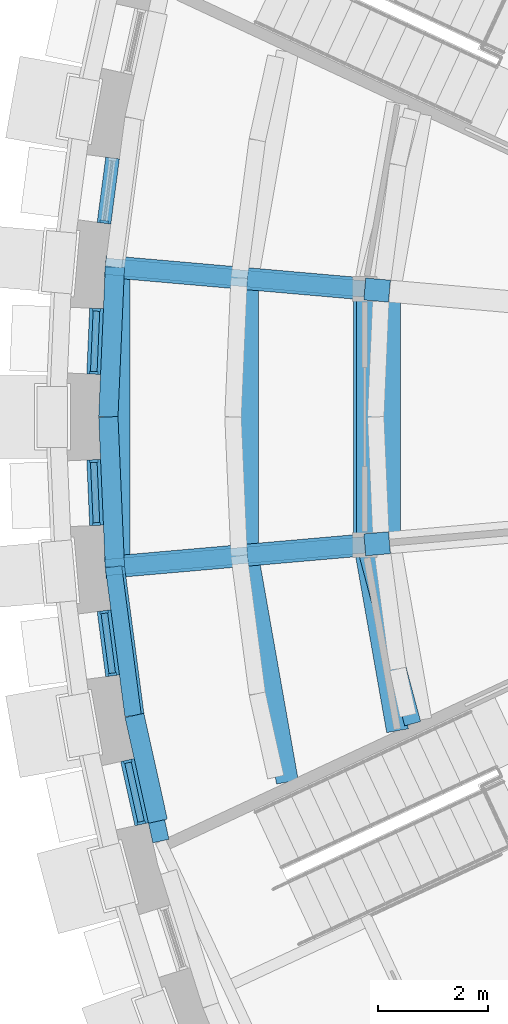
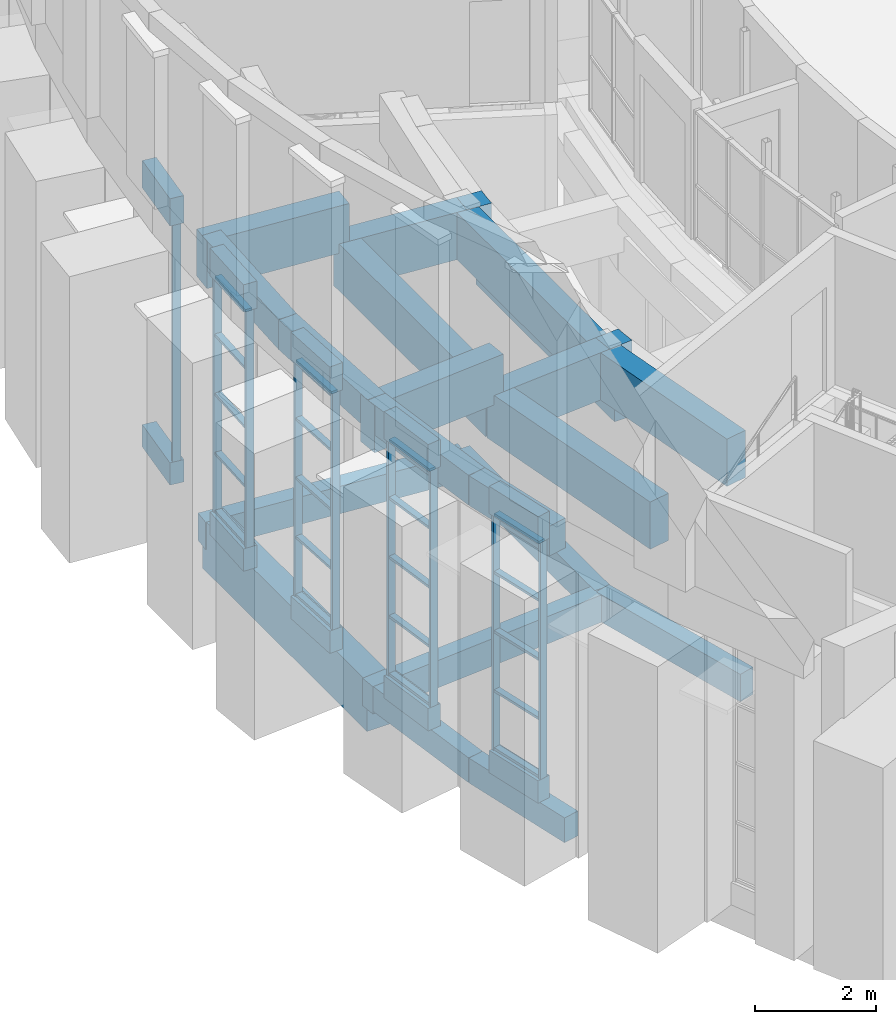
# One storey, part 9 of 66: 32 beams, 29 members, 5 elements without a shape of their own.
"""IFC4 building model written with IfcOpenShell, lengths in metres."""

from ifc_helpers import new_model, si_unit, direction, frame, origin, origin_2d, place, context, subcontext, project, spatial, rectangle, extrude, material, layer, layer_set, material_profile, profile_set, type_object, element, aggregate, save


model = new_model("IFC4")

# Units and contexts
model_context = context("Model", 3, precision=1e-05, world=origin(), true_north=direction((0.0, 1.0)))
body_context = subcontext(model_context, "Body", "Model", "MODEL_VIEW")
ifc_project = project(units=[si_unit("LENGTHUNIT", "METRE"), si_unit("AREAUNIT", "SQUARE_METRE"), si_unit("VOLUMEUNIT", "CUBIC_METRE"), si_unit("PLANEANGLEUNIT", "RADIAN"), si_unit("MASSUNIT", "GRAM", prefix="KILO")], contexts=[model_context])

# Site, building, storey
site_placement = place(None, origin())
site = spatial("IfcSite", under=ifc_project, at=site_placement, CompositionType="ELEMENT")
building_placement = place(site_placement, origin())
building = spatial("IfcBuilding", under=site, at=building_placement, Name="Volute Hill Aquarium", CompositionType="ELEMENT")
storey_placement = place(building_placement, frame((0.0, 0.0, 4.60009765625)))
storey = spatial("IfcBuildingStorey", under=building, at=storey_placement, Name="L02", CompositionType="ELEMENT", Elevation=4.60009765625)

# Beams
ifc_material_1 = material(Name="Concrete C35/45", Category="concrete")
ifc_material_profile_1 = material_profile(ifc_material_1, rectangle(XDim=0.300048828125, YDim=0.550048828125, at=origin_2d()), Name="RC beam 300x550")
ifc_profile_set_1 = profile_set([ifc_material_profile_1], Name="Concrete C35/45")
beam_type_1 = type_object("IfcBeamType", Name="Beam 300x550 C35/45", PredefinedType="BEAM", material=ifc_profile_set_1)
for number, where, z_axis, x_axis, name in (
    (1, (-26.523681640625, 2.320556640625, -0.4951171875), (-0.996193717496, 0.087166950281, 0.0), (-0.087166950281, -0.996193717496, 0.0), "bm/S1/L02/rad2.3"),
    (2, (-26.523681640625, -2.320556640625, -0.4951171875), (-0.996193717496, -0.087166950281, 0.0), (0.087166950281, -0.996193717496, 0.0), "bm/S1/L02/rad3.5"),
):
    element("IfcBeam", number, at=place(storey_placement, frame(where, z_axis=z_axis, x_axis=x_axis)), inside=storey, type_object=beam_type_1, Name=name, PredefinedType="BEAM", context=body_context, shape_type="SweptSolid", body=[
        extrude(rectangle(XDim=0.300048828125, YDim=0.550048828125, at=origin_2d()), origin(), (0.0, 0.0, 1.0), 4.72509765625),
    ])
beam_1_placement = place(storey_placement, frame((-26.523681640625, 2.320556640625, -0.4951171875), z_axis=(0.0, -1.0, 0.0), x_axis=(1.0, 0.0, 0.0)))
element("IfcBeam", 3, at=beam_1_placement, inside=storey, type_object=beam_type_1, Name="bm/S1/L02/ring1.8", PredefinedType="BEAM", context=body_context, shape_type="SweptSolid", body=[
    extrude(rectangle(XDim=0.300048828125, YDim=0.550048828125, at=origin_2d()), origin(), (0.0, 0.0, 1.0), 4.64111328125),
])
beam_2_placement = place(storey_placement, frame((-26.523681640625, -2.320556640625, -0.4951171875), z_axis=(0.258807570436, -0.965928900844, 0.0), x_axis=(0.965928900844, 0.258807570436, 0.0)))
element("IfcBeam", 4, at=beam_2_placement, inside=storey, type_object=beam_type_1, Name="bm/S1/L02/ring1.9", PredefinedType="BEAM", context=body_context, shape_type="SweptSolid", body=[
    extrude(rectangle(XDim=0.300048828125, YDim=0.550048828125, at=origin_2d()), origin(), (0.0, 0.0, 1.0), 3.357421875),
])

# Curtain wall, member
ifc_material_2 = material(Name="Aluminium", Category="aluminium")
ifc_layer = layer(ifc_material_2, 0.25)
ifc_layer_set = layer_set([ifc_layer], Name="Curtain wall niche S1 module 1193")
curtain_wall_type = type_object("IfcCurtainWallType", Name="Curtain wall niche S1 module 1193", PredefinedType="NOTDEFINED", material=ifc_layer_set)
curtain_wall_1_placement = place(storey_placement, origin())
curtain_wall_1 = element("IfcCurtainWall", 5, at=curtain_wall_1_placement, inside=storey, type_object=curtain_wall_type, Name="Curtain wall CW S1 L02 4", PredefinedType="NOTDEFINED")
ifc_material_3 = material(Name="Aluminium", Category="aluminium")
ifc_material_profile_2 = material_profile(ifc_material_3, rectangle(XDim=0.14990234375, YDim=0.050048828125, at=origin_2d()), Name="Curtain wall mullion S1 50x150")
ifc_profile_set_2 = profile_set([ifc_material_profile_2], Name="Aluminium")
member_type_1 = type_object("IfcMemberType", Name="Curtain wall mullion S1 50x150", PredefinedType="MULLION", material=ifc_profile_set_2)
member_1_placement = place(storey_placement, frame((-31.250244140625, 3.53759765625, 0.449951171875), z_axis=(0.0, 0.0, 1.0), x_axis=(0.991444135436, -0.130531706148, 0.0)))
member_1 = element("IfcMember", 6, at=member_1_placement, type_object=member_type_1, Name="CW mullion 2", PredefinedType="MULLION", context=body_context, shape_type="SweptSolid", body=[
    extrude(rectangle(XDim=0.14990234375, YDim=0.050048828125, at=origin_2d()), origin(), (0.0, 0.0, 1.0), 4.760009765625),
])
aggregate(curtain_wall_1, [member_1])

# Curtain wall, members
curtain_wall_2_placement = place(storey_placement, origin())
curtain_wall_2 = element("IfcCurtainWall", 7, at=curtain_wall_2_placement, inside=storey, type_object=curtain_wall_type, Name="Curtain wall CW S1 L02 5", PredefinedType="NOTDEFINED")
member_2_placement = place(storey_placement, frame((-31.389892578125, 1.942626953125, 0.449951171875), z_axis=(0.0, 0.0, 1.0), x_axis=(0.999048456142, -0.043614014722, 0.0)))
member_2 = element("IfcMember", 8, at=member_2_placement, type_object=member_type_1, Name="CW mullion 1", PredefinedType="MULLION", context=body_context, shape_type="SweptSolid", body=[
    extrude(rectangle(XDim=0.14990234375, YDim=0.050048828125, at=origin_2d()), origin(), (0.0, 0.0, 1.0), 4.760009765625),
])
member_3_placement = place(storey_placement, frame((-31.439697265625, 0.800537109375, 0.449951171875), z_axis=(0.0, 0.0, 1.0), x_axis=(0.999048456142, -0.043614014722, 0.0)))
member_3 = element("IfcMember", 9, at=member_3_placement, type_object=member_type_1, Name="CW mullion 2", PredefinedType="MULLION", context=body_context, shape_type="SweptSolid", body=[
    extrude(rectangle(XDim=0.14990234375, YDim=0.050048828125, at=origin_2d()), origin(), (0.0, 0.0, 1.0), 4.760009765625),
])

curtain_wall_3_placement = place(storey_placement, origin())
curtain_wall_3 = element("IfcCurtainWall", 10, at=curtain_wall_3_placement, inside=storey, type_object=curtain_wall_type, Name="Curtain wall CW S1 L02 6", PredefinedType="NOTDEFINED")
member_4_placement = place(storey_placement, frame((-31.439697265625, -0.80078125, 0.449951171875), z_axis=(0.0, 0.0, 1.0), x_axis=(0.999048456142, 0.043614014722, 0.0)))
member_4 = element("IfcMember", 11, at=member_4_placement, type_object=member_type_1, Name="CW mullion 1", PredefinedType="MULLION", context=body_context, shape_type="SweptSolid", body=[
    extrude(rectangle(XDim=0.14990234375, YDim=0.050048828125, at=origin_2d()), origin(), (0.0, 0.0, 1.0), 4.760009765625),
])
member_5_placement = place(storey_placement, frame((-31.389892578125, -1.942626953125, 0.449951171875), z_axis=(0.0, 0.0, 1.0), x_axis=(0.999048456142, 0.043614014722, 0.0)))
member_5 = element("IfcMember", 12, at=member_5_placement, type_object=member_type_1, Name="CW mullion 2", PredefinedType="MULLION", context=body_context, shape_type="SweptSolid", body=[
    extrude(rectangle(XDim=0.14990234375, YDim=0.050048828125, at=origin_2d()), origin(), (0.0, 0.0, 1.0), 4.760009765625),
])

curtain_wall_4_placement = place(storey_placement, origin())
curtain_wall_4 = element("IfcCurtainWall", 13, at=curtain_wall_4_placement, inside=storey, type_object=curtain_wall_type, Name="Curtain wall CW S1 L02 7", PredefinedType="NOTDEFINED")
member_6_placement = place(storey_placement, frame((-31.250244140625, -3.537841796875, 0.449951171875), z_axis=(0.0, 0.0, 1.0), x_axis=(0.991445220218, 0.130523466497, 0.0)))
member_6 = element("IfcMember", 14, at=member_6_placement, type_object=member_type_1, Name="CW mullion 1", PredefinedType="MULLION", context=body_context, shape_type="SweptSolid", body=[
    extrude(rectangle(XDim=0.14990234375, YDim=0.050048828125, at=origin_2d()), origin(), (0.0, 0.0, 1.0), 4.760009765625),
])
member_7_placement = place(storey_placement, frame((-31.10107421875, -4.671142578125, 0.449951171875), z_axis=(0.0, 0.0, 1.0), x_axis=(0.991445220218, 0.130523466497, 0.0)))
member_7 = element("IfcMember", 15, at=member_7_placement, type_object=member_type_1, Name="CW mullion 2", PredefinedType="MULLION", context=body_context, shape_type="SweptSolid", body=[
    extrude(rectangle(XDim=0.14990234375, YDim=0.050048828125, at=origin_2d()), origin(), (0.0, 0.0, 1.0), 4.760009765625),
])

curtain_wall_5_placement = place(storey_placement, origin())
curtain_wall_5 = element("IfcCurtainWall", 16, at=curtain_wall_5_placement, inside=storey, type_object=curtain_wall_type, Name="Curtain wall CW S1 L02 8", PredefinedType="NOTDEFINED")
member_8_placement = place(storey_placement, frame((-30.822998046875, -6.248046875, 0.449951171875), z_axis=(0.0, 0.0, 1.0), x_axis=(0.976292270498, 0.216456468061, 0.0)))
member_8 = element("IfcMember", 17, at=member_8_placement, type_object=member_type_1, Name="CW mullion 1", PredefinedType="MULLION", context=body_context, shape_type="SweptSolid", body=[
    extrude(rectangle(XDim=0.14990234375, YDim=0.050048828125, at=origin_2d()), origin(), (0.0, 0.0, 1.0), 4.760009765625),
])
member_9_placement = place(storey_placement, frame((-30.57568359375, -7.36376953125, 0.449951171875), z_axis=(0.0, 0.0, 1.0), x_axis=(0.976292270498, 0.216456468061, 0.0)))
member_9 = element("IfcMember", 18, at=member_9_placement, type_object=member_type_1, Name="CW mullion 2", PredefinedType="MULLION", context=body_context, shape_type="SweptSolid", body=[
    extrude(rectangle(XDim=0.14990234375, YDim=0.050048828125, at=origin_2d()), origin(), (0.0, 0.0, 1.0), 4.760009765625),
])

# Member
ifc_material_4 = material(Name="Aluminium", Category="aluminium")
ifc_material_profile_3 = material_profile(ifc_material_4, rectangle(XDim=0.1201171875, YDim=0.050048828125, at=origin_2d()), Name="Curtain wall transom S1 50x120")
ifc_profile_set_3 = profile_set([ifc_material_profile_3], Name="Aluminium")
member_type_2 = type_object("IfcMemberType", Name="Curtain wall transom S1 50x120", PredefinedType="USERDEFINED", material=ifc_profile_set_3)
member_10_placement = place(storey_placement, frame((-31.390869140625, 1.91748046875, 0.474853515625), z_axis=(-0.043786230083, -0.999040923113, 0.0), x_axis=(0.999040923113, -0.043786230083, 0.0)))
member_10 = element("IfcMember", 19, at=member_10_placement, type_object=member_type_2, Name="CW transom 1.1", ObjectType="TRANSOM", PredefinedType="USERDEFINED", context=body_context, shape_type="SweptSolid", body=[
    extrude(rectangle(XDim=0.1201171875, YDim=0.050048828125, at=origin_2d()), origin(), (0.0, 0.0, 1.0), 1.0927734375),
])

member_11_placement = place(storey_placement, frame((-31.390869140625, 1.91748046875, 1.639892578125), z_axis=(-0.043786230083, -0.999040923113, 0.0), x_axis=(0.999040923113, -0.043786230083, 0.0)))
member_11 = element("IfcMember", 20, at=member_11_placement, type_object=member_type_2, Name="CW transom 1.2", ObjectType="TRANSOM", PredefinedType="USERDEFINED", context=body_context, shape_type="SweptSolid", body=[
    extrude(rectangle(XDim=0.1201171875, YDim=0.050048828125, at=origin_2d()), origin(), (0.0, 0.0, 1.0), 1.0927734375),
])

member_12_placement = place(storey_placement, frame((-31.390869140625, 1.91748046875, 2.829833984375), z_axis=(-0.043786230083, -0.999040923113, 0.0), x_axis=(0.999040923113, -0.043786230083, 0.0)))
member_12 = element("IfcMember", 21, at=member_12_placement, type_object=member_type_2, Name="CW transom 1.3", ObjectType="TRANSOM", PredefinedType="USERDEFINED", context=body_context, shape_type="SweptSolid", body=[
    extrude(rectangle(XDim=0.1201171875, YDim=0.050048828125, at=origin_2d()), origin(), (0.0, 0.0, 1.0), 1.0927734375),
])

member_13_placement = place(storey_placement, frame((-31.390869140625, 1.91748046875, 4.02001953125), z_axis=(-0.043786230083, -0.999040923113, 0.0), x_axis=(0.999040923113, -0.043786230083, 0.0)))
member_13 = element("IfcMember", 22, at=member_13_placement, type_object=member_type_2, Name="CW transom 1.4", ObjectType="TRANSOM", PredefinedType="USERDEFINED", context=body_context, shape_type="SweptSolid", body=[
    extrude(rectangle(XDim=0.1201171875, YDim=0.050048828125, at=origin_2d()), origin(), (0.0, 0.0, 1.0), 1.0927734375),
])

member_14_placement = place(storey_placement, frame((-31.390869140625, 1.91748046875, 5.184814453125), z_axis=(-0.043786230083, -0.999040923113, 0.0), x_axis=(0.999040923113, -0.043786230083, 0.0)))
member_14 = element("IfcMember", 23, at=member_14_placement, type_object=member_type_2, Name="CW transom 1.5", ObjectType="TRANSOM", PredefinedType="USERDEFINED", context=body_context, shape_type="SweptSolid", body=[
    extrude(rectangle(XDim=0.1201171875, YDim=0.050048828125, at=origin_2d()), origin(), (0.0, 0.0, 1.0), 1.0927734375),
])

aggregate(curtain_wall_2, [member_2, member_3, member_10, member_11, member_12, member_13, member_14])

member_15_placement = place(storey_placement, frame((-31.438720703125, -0.82568359375, 0.474853515625), z_axis=(0.043776459837, -0.999041351278, 0.0), x_axis=(0.999041351278, 0.043776459837, 0.0)))
member_15 = element("IfcMember", 24, at=member_15_placement, type_object=member_type_2, Name="CW transom 1.1", ObjectType="TRANSOM", PredefinedType="USERDEFINED", context=body_context, shape_type="SweptSolid", body=[
    extrude(rectangle(XDim=0.1201171875, YDim=0.050048828125, at=origin_2d()), origin(), (0.0, 0.0, 1.0), 1.093017578125),
])

member_16_placement = place(storey_placement, frame((-31.438720703125, -0.82568359375, 1.639892578125), z_axis=(0.043776459837, -0.999041351278, 0.0), x_axis=(0.999041351278, 0.043776459837, 0.0)))
member_16 = element("IfcMember", 25, at=member_16_placement, type_object=member_type_2, Name="CW transom 1.2", ObjectType="TRANSOM", PredefinedType="USERDEFINED", context=body_context, shape_type="SweptSolid", body=[
    extrude(rectangle(XDim=0.1201171875, YDim=0.050048828125, at=origin_2d()), origin(), (0.0, 0.0, 1.0), 1.093017578125),
])

member_17_placement = place(storey_placement, frame((-31.438720703125, -0.82568359375, 2.829833984375), z_axis=(0.043776459837, -0.999041351278, 0.0), x_axis=(0.999041351278, 0.043776459837, 0.0)))
member_17 = element("IfcMember", 26, at=member_17_placement, type_object=member_type_2, Name="CW transom 1.3", ObjectType="TRANSOM", PredefinedType="USERDEFINED", context=body_context, shape_type="SweptSolid", body=[
    extrude(rectangle(XDim=0.1201171875, YDim=0.050048828125, at=origin_2d()), origin(), (0.0, 0.0, 1.0), 1.093017578125),
])

member_18_placement = place(storey_placement, frame((-31.438720703125, -0.82568359375, 4.02001953125), z_axis=(0.043776459837, -0.999041351278, 0.0), x_axis=(0.999041351278, 0.043776459837, 0.0)))
member_18 = element("IfcMember", 27, at=member_18_placement, type_object=member_type_2, Name="CW transom 1.4", ObjectType="TRANSOM", PredefinedType="USERDEFINED", context=body_context, shape_type="SweptSolid", body=[
    extrude(rectangle(XDim=0.1201171875, YDim=0.050048828125, at=origin_2d()), origin(), (0.0, 0.0, 1.0), 1.093017578125),
])

member_19_placement = place(storey_placement, frame((-31.438720703125, -0.82568359375, 5.184814453125), z_axis=(0.043776459837, -0.999041351278, 0.0), x_axis=(0.999041351278, 0.043776459837, 0.0)))
member_19 = element("IfcMember", 28, at=member_19_placement, type_object=member_type_2, Name="CW transom 1.5", ObjectType="TRANSOM", PredefinedType="USERDEFINED", context=body_context, shape_type="SweptSolid", body=[
    extrude(rectangle(XDim=0.1201171875, YDim=0.050048828125, at=origin_2d()), origin(), (0.0, 0.0, 1.0), 1.093017578125),
])

aggregate(curtain_wall_3, [member_4, member_5, member_15, member_16, member_17, member_18, member_19])

member_20_placement = place(storey_placement, frame((-31.2470703125, -3.562744140625, 0.474853515625), z_axis=(0.130466070399, -0.991452774707, 0.0), x_axis=(0.991452774707, 0.130466070399, 0.0)))
member_20 = element("IfcMember", 29, at=member_20_placement, type_object=member_type_2, Name="CW transom 1.1", ObjectType="TRANSOM", PredefinedType="USERDEFINED", context=body_context, shape_type="SweptSolid", body=[
    extrude(rectangle(XDim=0.1201171875, YDim=0.050048828125, at=origin_2d()), origin(), (0.0, 0.0, 1.0), 1.0927734375),
])

member_21_placement = place(storey_placement, frame((-31.2470703125, -3.562744140625, 1.639892578125), z_axis=(0.130466070399, -0.991452774707, 0.0), x_axis=(0.991452774707, 0.130466070399, 0.0)))
member_21 = element("IfcMember", 30, at=member_21_placement, type_object=member_type_2, Name="CW transom 1.2", ObjectType="TRANSOM", PredefinedType="USERDEFINED", context=body_context, shape_type="SweptSolid", body=[
    extrude(rectangle(XDim=0.1201171875, YDim=0.050048828125, at=origin_2d()), origin(), (0.0, 0.0, 1.0), 1.0927734375),
])

member_22_placement = place(storey_placement, frame((-31.2470703125, -3.562744140625, 2.829833984375), z_axis=(0.130466070399, -0.991452774707, 0.0), x_axis=(0.991452774707, 0.130466070399, 0.0)))
member_22 = element("IfcMember", 31, at=member_22_placement, type_object=member_type_2, Name="CW transom 1.3", ObjectType="TRANSOM", PredefinedType="USERDEFINED", context=body_context, shape_type="SweptSolid", body=[
    extrude(rectangle(XDim=0.1201171875, YDim=0.050048828125, at=origin_2d()), origin(), (0.0, 0.0, 1.0), 1.0927734375),
])

member_23_placement = place(storey_placement, frame((-31.2470703125, -3.562744140625, 4.02001953125), z_axis=(0.130466070399, -0.991452774707, 0.0), x_axis=(0.991452774707, 0.130466070399, 0.0)))
member_23 = element("IfcMember", 32, at=member_23_placement, type_object=member_type_2, Name="CW transom 1.4", ObjectType="TRANSOM", PredefinedType="USERDEFINED", context=body_context, shape_type="SweptSolid", body=[
    extrude(rectangle(XDim=0.1201171875, YDim=0.050048828125, at=origin_2d()), origin(), (0.0, 0.0, 1.0), 1.0927734375),
])

member_24_placement = place(storey_placement, frame((-31.2470703125, -3.562744140625, 5.184814453125), z_axis=(0.130466070399, -0.991452774707, 0.0), x_axis=(0.991452774707, 0.130466070399, 0.0)))
member_24 = element("IfcMember", 33, at=member_24_placement, type_object=member_type_2, Name="CW transom 1.5", ObjectType="TRANSOM", PredefinedType="USERDEFINED", context=body_context, shape_type="SweptSolid", body=[
    extrude(rectangle(XDim=0.1201171875, YDim=0.050048828125, at=origin_2d()), origin(), (0.0, 0.0, 1.0), 1.0927734375),
])

aggregate(curtain_wall_4, [member_6, member_7, member_20, member_21, member_22, member_23, member_24])

member_25_placement = place(storey_placement, frame((-30.817626953125, -6.2724609375, 0.474853515625), z_axis=(0.216480993318, -0.976286832612, 0.0), x_axis=(0.976286832612, 0.216480993318, 0.0)))
member_25 = element("IfcMember", 34, at=member_25_placement, type_object=member_type_2, Name="CW transom 1.1", ObjectType="TRANSOM", PredefinedType="USERDEFINED", context=body_context, shape_type="SweptSolid", body=[
    extrude(rectangle(XDim=0.1201171875, YDim=0.050048828125, at=origin_2d()), origin(), (0.0, 0.0, 1.0), 1.0927734375),
])

member_26_placement = place(storey_placement, frame((-30.817626953125, -6.2724609375, 1.639892578125), z_axis=(0.216480993318, -0.976286832612, 0.0), x_axis=(0.976286832612, 0.216480993318, 0.0)))
member_26 = element("IfcMember", 35, at=member_26_placement, type_object=member_type_2, Name="CW transom 1.2", ObjectType="TRANSOM", PredefinedType="USERDEFINED", context=body_context, shape_type="SweptSolid", body=[
    extrude(rectangle(XDim=0.1201171875, YDim=0.050048828125, at=origin_2d()), origin(), (0.0, 0.0, 1.0), 1.0927734375),
])

member_27_placement = place(storey_placement, frame((-30.817626953125, -6.2724609375, 2.829833984375), z_axis=(0.216480993318, -0.976286832612, 0.0), x_axis=(0.976286832612, 0.216480993318, 0.0)))
member_27 = element("IfcMember", 36, at=member_27_placement, type_object=member_type_2, Name="CW transom 1.3", ObjectType="TRANSOM", PredefinedType="USERDEFINED", context=body_context, shape_type="SweptSolid", body=[
    extrude(rectangle(XDim=0.1201171875, YDim=0.050048828125, at=origin_2d()), origin(), (0.0, 0.0, 1.0), 1.0927734375),
])

member_28_placement = place(storey_placement, frame((-30.817626953125, -6.2724609375, 4.02001953125), z_axis=(0.216480993318, -0.976286832612, 0.0), x_axis=(0.976286832612, 0.216480993318, 0.0)))
member_28 = element("IfcMember", 37, at=member_28_placement, type_object=member_type_2, Name="CW transom 1.4", ObjectType="TRANSOM", PredefinedType="USERDEFINED", context=body_context, shape_type="SweptSolid", body=[
    extrude(rectangle(XDim=0.1201171875, YDim=0.050048828125, at=origin_2d()), origin(), (0.0, 0.0, 1.0), 1.0927734375),
])

member_29_placement = place(storey_placement, frame((-30.817626953125, -6.2724609375, 5.184814453125), z_axis=(0.216480993318, -0.976286832612, 0.0), x_axis=(0.976286832612, 0.216480993318, 0.0)))
member_29 = element("IfcMember", 38, at=member_29_placement, type_object=member_type_2, Name="CW transom 1.5", ObjectType="TRANSOM", PredefinedType="USERDEFINED", context=body_context, shape_type="SweptSolid", body=[
    extrude(rectangle(XDim=0.1201171875, YDim=0.050048828125, at=origin_2d()), origin(), (0.0, 0.0, 1.0), 1.0927734375),
])

aggregate(curtain_wall_5, [member_8, member_9, member_25, member_26, member_27, member_28, member_29])

# Beams
ifc_material_5 = material(Name="Concrete C35/45", Category="concrete")
ifc_material_profile_4 = material_profile(ifc_material_5, rectangle(XDim=0.300048828125, YDim=0.5, at=origin_2d()), Name="RC edge beam 300x500")
ifc_profile_set_4 = profile_set([ifc_material_profile_4], Name="Concrete C35/45")
beam_type_2 = type_object("IfcBeamType", Name="Edge beam 300x500 C35/45", PredefinedType="BEAM", material=ifc_profile_set_4)
beam_3_placement = place(storey_placement, frame((-31.0810546875, -2.71923828125, -0.47021484375), z_axis=(0.130512520762, -0.991446661159, 0.0), x_axis=(0.991446661159, 0.130512520762, 0.0)))
element("IfcBeam", 39, at=beam_3_placement, inside=storey, type_object=beam_type_2, Name="bm/S1/L02/edgeO.24", PredefinedType="BEAM", context=body_context, shape_type="SweptSolid", body=[
    extrude(rectangle(XDim=0.300048828125, YDim=0.5, at=origin_2d()), origin(), (0.0, 0.0, 1.0), 2.7216796875),
])
beam_4_placement = place(storey_placement, frame((-30.725830078125, -5.417724609375, -0.47021484375), z_axis=(0.216442353874, -0.976295399687, 0.0), x_axis=(0.976295399687, 0.216442353874, 0.0)))
element("IfcBeam", 40, at=beam_4_placement, inside=storey, type_object=beam_type_2, Name="bm/S1/L02/edgeO.25", PredefinedType="BEAM", context=body_context, shape_type="SweptSolid", body=[
    extrude(rectangle(XDim=0.300048828125, YDim=0.5, at=origin_2d()), origin(), (0.0, 0.0, 1.0), 2.330322265625),
])
ifc_material_6 = material(Name="Concrete C35/45", Category="concrete")
ifc_material_profile_5 = material_profile(ifc_material_6, rectangle(XDim=0.35009765625, YDim=0.60009765625, at=origin_2d()), Name="RC edge beam 350x600")
ifc_profile_set_5 = profile_set([ifc_material_profile_5], Name="Concrete C35/45")
beam_type_3 = type_object("IfcBeamType", Name="Edge beam 350x600 C35/45", PredefinedType="BEAM", material=ifc_profile_set_5)
for number, where, z_axis, x_axis, name in (
    (41, (-31.05615234375, 2.717041015625, 5.159912109375), (-0.043628111291, -0.999047840649, 0.0), (0.999047840649, -0.043628111291, 0.0), "rb/S1/L02/edgeO.60"),
    (42, (-31.1748046875, 0.0, 5.159912109375), (0.043628111291, -0.999047840649, 0.0), (0.999047840649, 0.043628111291, 0.0), "rb/S1/L02/edgeO.61"),
    (43, (-31.05615234375, -2.717041015625, 5.159912109375), (0.130517206736, -0.991446044294, 0.0), (0.991446044294, 0.130517206736, 0.0), "rb/S1/L02/edgeO.62"),
):
    element("IfcBeam", number, at=place(storey_placement, frame(where, z_axis=z_axis, x_axis=x_axis)), inside=storey, type_object=beam_type_3, Name=name, PredefinedType="BEAM", context=body_context, shape_type="SweptSolid", body=[
        extrude(rectangle(XDim=0.35009765625, YDim=0.60009765625, at=origin_2d()), origin(), (0.0, 0.0, 1.0), 2.7197265625),
    ])
beam_5_placement = place(storey_placement, frame((-30.701171875, -5.41357421875, 5.159912109375), z_axis=(0.21643053579, -0.976298019653, 0.0), x_axis=(0.976298019653, 0.21643053579, 0.0)))
element("IfcBeam", 44, at=beam_5_placement, inside=storey, type_object=beam_type_3, Name="rb/S1/L02/edgeO.63", PredefinedType="BEAM", context=body_context, shape_type="SweptSolid", body=[
    extrude(rectangle(XDim=0.35009765625, YDim=0.60009765625, at=origin_2d()), origin(), (0.0, 0.0, 1.0), 1.965087890625),
])
ifc_material_7 = material(Name="Concrete C35/45", Category="concrete")
ifc_material_profile_6 = material_profile(ifc_material_7, rectangle(XDim=0.25, YDim=0.550048828125, at=origin_2d()), Name="RC beam 250x550")
ifc_profile_set_6 = profile_set([ifc_material_profile_6], Name="Concrete C35/45")
beam_type_4 = type_object("IfcBeamType", Name="Niche head beam RC 250x550 C35/45", PredefinedType="BEAM", material=ifc_profile_set_6)
beam_6_placement = place(storey_placement, frame((-31.097900390625, 4.695556640625, 5.48486328125), z_axis=(-0.13058157894, -0.991437568, 0.0), x_axis=(0.991437568, -0.13058157894, 0.0)))
element("IfcBeam", 45, at=beam_6_placement, inside=storey, type_object=beam_type_4, Name="Niche head beam OWB S1 L02 4", PredefinedType="BEAM", context=body_context, shape_type="SweptSolid", body=[
    extrude(rectangle(XDim=0.25, YDim=0.550048828125, at=origin_2d()), origin(), (0.0, 0.0, 1.0), 1.19287109375),
])
beam_7_placement = place(storey_placement, frame((-31.388671875, 1.967529296875, 5.48486328125), z_axis=(-0.043792441476, -0.999040650859, 0.0), x_axis=(0.999040650859, -0.043792441476, 0.0)))
element("IfcBeam", 46, at=beam_7_placement, inside=storey, type_object=beam_type_4, Name="Niche head beam OWB S1 L02 5", PredefinedType="BEAM", context=body_context, shape_type="SweptSolid", body=[
    extrude(rectangle(XDim=0.25, YDim=0.550048828125, at=origin_2d()), origin(), (0.0, 0.0, 1.0), 1.193115234375),
])
for number, where, z_axis, x_axis, name in (
    (47, (-31.44091796875, -0.77587890625, 5.48486328125), (0.043801396286, -0.99904025829, 0.0), (0.99904025829, 0.043801396286, 0.0), "Niche head beam OWB S1 L02 6"),
    (48, (-31.253662109375, -3.51318359375, 5.48486328125), (0.13058157894, -0.991437568, 0.0), (0.991437568, 0.13058157894, 0.0), "Niche head beam OWB S1 L02 7"),
    (49, (-30.828369140625, -6.2236328125, 5.48486328125), (0.216345278853, -0.976316915923, 0.0), (0.976316915923, 0.216345278853, 0.0), "Niche head beam OWB S1 L02 8"),
):
    element("IfcBeam", number, at=place(storey_placement, frame(where, z_axis=z_axis, x_axis=x_axis)), inside=storey, type_object=beam_type_4, Name=name, PredefinedType="BEAM", context=body_context, shape_type="SweptSolid", body=[
        extrude(rectangle(XDim=0.25, YDim=0.550048828125, at=origin_2d()), origin(), (0.0, 0.0, 1.0), 1.19287109375),
    ])
ifc_material_8 = material(Name="Concrete C35/45", Category="concrete")
ifc_material_profile_7 = material_profile(ifc_material_8, rectangle(XDim=0.25, YDim=0.449951171875, at=origin_2d()), Name="RC beam 250x450")
ifc_profile_set_7 = profile_set([ifc_material_profile_7], Name="Concrete C35/45")
beam_type_5 = type_object("IfcBeamType", Name="Niche sill beam RC 250x450 C35/45", PredefinedType="BEAM", material=ifc_profile_set_7)
beam_8_placement = place(storey_placement, frame((-31.097900390625, 4.695556640625, 0.224853515625), z_axis=(-0.13058157894, -0.991437568, 0.0), x_axis=(0.991437568, -0.13058157894, 0.0)))
element("IfcBeam", 50, at=beam_8_placement, inside=storey, type_object=beam_type_5, Name="Niche sill beam OWB S1 L02 4", PredefinedType="BEAM", context=body_context, shape_type="SweptSolid", body=[
    extrude(rectangle(XDim=0.25, YDim=0.449951171875, at=origin_2d()), origin(), (0.0, 0.0, 1.0), 1.19287109375),
])
beam_9_placement = place(storey_placement, frame((-31.388671875, 1.967529296875, 0.224853515625), z_axis=(-0.043792441476, -0.999040650859, 0.0), x_axis=(0.999040650859, -0.043792441476, 0.0)))
element("IfcBeam", 51, at=beam_9_placement, inside=storey, type_object=beam_type_5, Name="Niche sill beam OWB S1 L02 5", PredefinedType="BEAM", context=body_context, shape_type="SweptSolid", body=[
    extrude(rectangle(XDim=0.25, YDim=0.449951171875, at=origin_2d()), origin(), (0.0, 0.0, 1.0), 1.193115234375),
])
for number, where, z_axis, x_axis, name in (
    (52, (-31.44091796875, -0.77587890625, 0.224853515625), (0.043801396286, -0.99904025829, 0.0), (0.99904025829, 0.043801396286, 0.0), "Niche sill beam OWB S1 L02 6"),
    (53, (-31.253662109375, -3.51318359375, 0.224853515625), (0.13058157894, -0.991437568, 0.0), (0.991437568, 0.13058157894, 0.0), "Niche sill beam OWB S1 L02 7"),
    (54, (-30.828369140625, -6.2236328125, 0.224853515625), (0.216345278853, -0.976316915923, 0.0), (0.976316915923, 0.216345278853, 0.0), "Niche sill beam OWB S1 L02 8"),
):
    element("IfcBeam", number, at=place(storey_placement, frame(where, z_axis=z_axis, x_axis=x_axis)), inside=storey, type_object=beam_type_5, Name=name, PredefinedType="BEAM", context=body_context, shape_type="SweptSolid", body=[
        extrude(rectangle(XDim=0.25, YDim=0.449951171875, at=origin_2d()), origin(), (0.0, 0.0, 1.0), 1.19287109375),
    ])
ifc_material_9 = material(Name="Concrete C35/45", Category="concrete")
ifc_material_profile_8 = material_profile(ifc_material_9, rectangle(XDim=0.39990234375, YDim=0.949951171875, at=origin_2d()), Name="RC beam 400x950")
ifc_profile_set_8 = profile_set([ifc_material_profile_8], Name="Concrete C35/45")
beam_type_6 = type_object("IfcBeamType", Name="Terrace beam 400x950 C35/45", PredefinedType="BEAM", material=ifc_profile_set_8)
beam_10_placement = place(storey_placement, frame((-26.075439453125, 2.28125, 4.224853515625), z_axis=(-0.996177209405, 0.087355408886, 0.0), x_axis=(-0.087355408886, -0.996177209405, 0.0)))
element("IfcBeam", 55, at=beam_10_placement, inside=storey, type_object=beam_type_6, Name="rb/S1/L02/rad2.20", PredefinedType="BEAM", context=body_context, shape_type="SweptSolid", body=[
    extrude(rectangle(XDim=0.39990234375, YDim=0.949951171875, at=origin_2d()), origin(), (0.0, 0.0, 1.0), 0.449951171875),
])
beam_11_placement = place(storey_placement, frame((-26.523681640625, 2.320556640625, 4.224853515625), z_axis=(-0.996195452949, 0.087147114263, 0.0), x_axis=(-0.087147114263, -0.996195452949, 0.0)))
element("IfcBeam", 56, at=beam_11_placement, inside=storey, type_object=beam_type_6, Name="rb/S1/L02/rad2.21", PredefinedType="BEAM", context=body_context, shape_type="SweptSolid", body=[
    extrude(rectangle(XDim=0.39990234375, YDim=0.949951171875, at=origin_2d()), origin(), (0.0, 0.0, 1.0), 2.137451171875),
])
beam_12_placement = place(storey_placement, frame((-28.653076171875, 2.5068359375, 4.98486328125), z_axis=(-0.996192283539, 0.087183336805, 0.0), x_axis=(-0.087183336805, -0.996192283539, 0.0)))
element("IfcBeam", 57, at=beam_12_placement, inside=storey, type_object=beam_type_6, Name="rb/S1/L02/rad2.22", PredefinedType="BEAM", context=body_context, shape_type="SweptSolid", body=[
    extrude(rectangle(XDim=0.39990234375, YDim=0.949951171875, at=origin_2d()), origin(), (0.0, 0.0, 1.0), 2.58740234375),
])
beam_13_placement = place(storey_placement, frame((-26.075439453125, -2.28125, 4.224853515625), z_axis=(-0.996177209405, -0.087355408886, 0.0), x_axis=(0.087355408886, -0.996177209405, 0.0)))
element("IfcBeam", 58, at=beam_13_placement, inside=storey, type_object=beam_type_6, Name="rb/S1/L02/rad3.25", PredefinedType="BEAM", context=body_context, shape_type="SweptSolid", body=[
    extrude(rectangle(XDim=0.39990234375, YDim=0.949951171875, at=origin_2d()), origin(), (0.0, 0.0, 1.0), 0.449951171875),
])
beam_14_placement = place(storey_placement, frame((-26.523681640625, -2.320556640625, 4.224853515625), z_axis=(-0.996195452949, -0.087147114263, 0.0), x_axis=(0.087147114263, -0.996195452949, 0.0)))
element("IfcBeam", 59, at=beam_14_placement, inside=storey, type_object=beam_type_6, Name="rb/S1/L02/rad3.26", PredefinedType="BEAM", context=body_context, shape_type="SweptSolid", body=[
    extrude(rectangle(XDim=0.39990234375, YDim=0.949951171875, at=origin_2d()), origin(), (0.0, 0.0, 1.0), 2.137451171875),
])
beam_15_placement = place(storey_placement, frame((-28.653076171875, -2.5068359375, 4.98486328125), z_axis=(-0.996192283539, -0.087183336805, 0.0), x_axis=(0.087183336805, -0.996192283539, 0.0)))
element("IfcBeam", 60, at=beam_15_placement, inside=storey, type_object=beam_type_6, Name="rb/S1/L02/rad3.27", PredefinedType="BEAM", context=body_context, shape_type="SweptSolid", body=[
    extrude(rectangle(XDim=0.39990234375, YDim=0.949951171875, at=origin_2d()), origin(), (0.0, 0.0, 1.0), 2.58740234375),
])
beam_16_placement = place(storey_placement, frame((-26.075439453125, 2.28125, 3.48486328125), z_axis=(0.0, -1.0, 0.0), x_axis=(1.0, 0.0, 0.0)))
element("IfcBeam", 61, at=beam_16_placement, inside=storey, type_object=beam_type_6, Name="rb/S1/L02/ring33", PredefinedType="BEAM", context=body_context, shape_type="SweptSolid", body=[
    extrude(rectangle(XDim=0.39990234375, YDim=0.949951171875, at=origin_2d()), origin(), (0.0, 0.0, 1.0), 4.5625),
])
beam_17_placement = place(storey_placement, frame((-26.523681640625, 2.320556640625, 4.224853515625), z_axis=(0.0, -1.0, 0.0), x_axis=(1.0, 0.0, 0.0)))
element("IfcBeam", 62, at=beam_17_placement, inside=storey, type_object=beam_type_6, Name="rb/S1/L02/ring36", PredefinedType="BEAM", context=body_context, shape_type="SweptSolid", body=[
    extrude(rectangle(XDim=0.39990234375, YDim=0.949951171875, at=origin_2d()), origin(), (0.0, 0.0, 1.0), 4.64111328125),
])
beam_18_placement = place(storey_placement, frame((-26.523681640625, -2.320556640625, 4.224853515625), z_axis=(0.173679540206, -0.984802222435, 0.0), x_axis=(0.984802222435, 0.173679540206, 0.0)))
element("IfcBeam", 63, at=beam_18_placement, inside=storey, type_object=beam_type_6, Name="rb/S1/L02/ring37", PredefinedType="BEAM", context=body_context, shape_type="SweptSolid", body=[
    extrude(rectangle(XDim=0.39990234375, YDim=0.949951171875, at=origin_2d()), origin(), (0.0, 0.0, 1.0), 3.4228515625),
])
beam_19_placement = place(storey_placement, frame((-28.653076171875, 2.5068359375, 4.224853515625), z_axis=(0.0, -1.0, 0.0), x_axis=(1.0, 0.0, 0.0)))
element("IfcBeam", 64, at=beam_19_placement, inside=storey, type_object=beam_type_6, Name="rb/S1/L02/ring39", PredefinedType="BEAM", context=body_context, shape_type="SweptSolid", body=[
    extrude(rectangle(XDim=0.39990234375, YDim=0.949951171875, at=origin_2d()), origin(), (0.0, 0.0, 1.0), 5.013671875),
])
beam_20_placement = place(storey_placement, frame((-28.653076171875, -2.5068359375, 4.224853515625), z_axis=(0.173655378114, -0.984806483352, 0.0), x_axis=(0.984806483352, 0.173655378114, 0.0)))
element("IfcBeam", 65, at=beam_20_placement, inside=storey, type_object=beam_type_6, Name="rb/S1/L02/ring40", PredefinedType="BEAM", context=body_context, shape_type="SweptSolid", body=[
    extrude(rectangle(XDim=0.39990234375, YDim=0.949951171875, at=origin_2d()), origin(), (0.0, 0.0, 1.0), 4.1796875),
])
ifc_material_10 = material(Name="Concrete C35/45", Category="concrete")
ifc_material_profile_9 = material_profile(ifc_material_10, rectangle(XDim=0.449951171875, YDim=1.0, at=origin_2d()), Name="RC transfer beam 450x1000")
ifc_profile_set_9 = profile_set([ifc_material_profile_9], Name="Concrete C35/45")
beam_type_7 = type_object("IfcBeamType", Name="Transfer beam 450x1000 C35/45", PredefinedType="BEAM", material=ifc_profile_set_9)
beam_21_placement = place(storey_placement, frame((-31.005615234375, 2.712646484375, -0.72021484375), z_axis=(0.0, -1.0, 0.0), x_axis=(1.0, 0.0, 0.0)))
element("IfcBeam", 66, at=beam_21_placement, inside=storey, type_object=beam_type_7, Name="bm/S1/L02/portal", PredefinedType="BEAM", context=body_context, shape_type="SweptSolid", body=[
    extrude(rectangle(XDim=0.449951171875, YDim=1.0, at=origin_2d()), origin(), (0.0, 0.0, 1.0), 5.42529296875),
])

save(model, "model.ifc")
